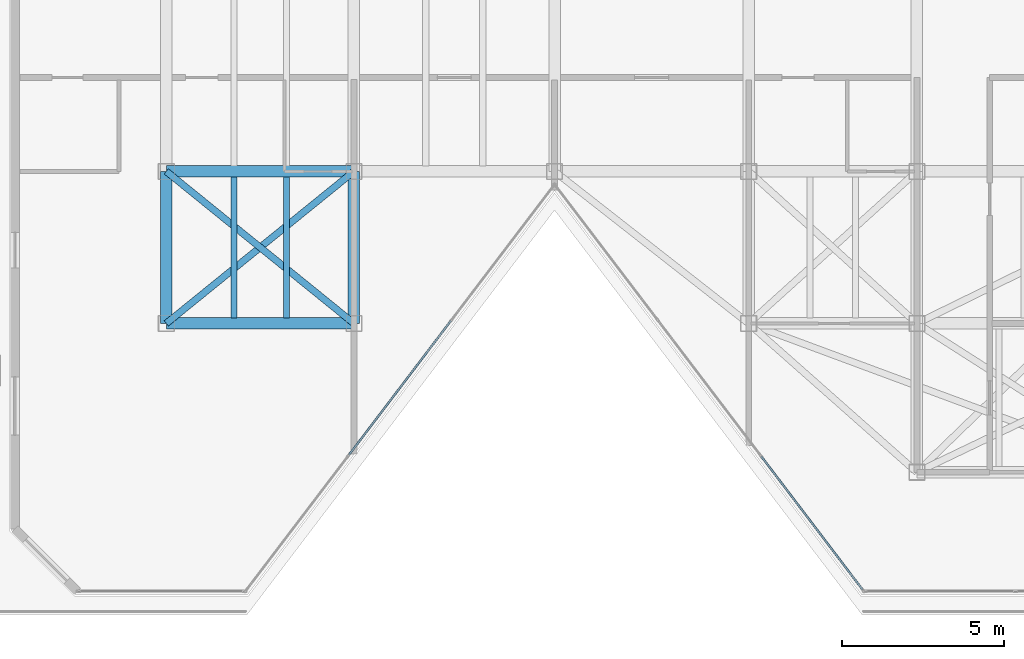
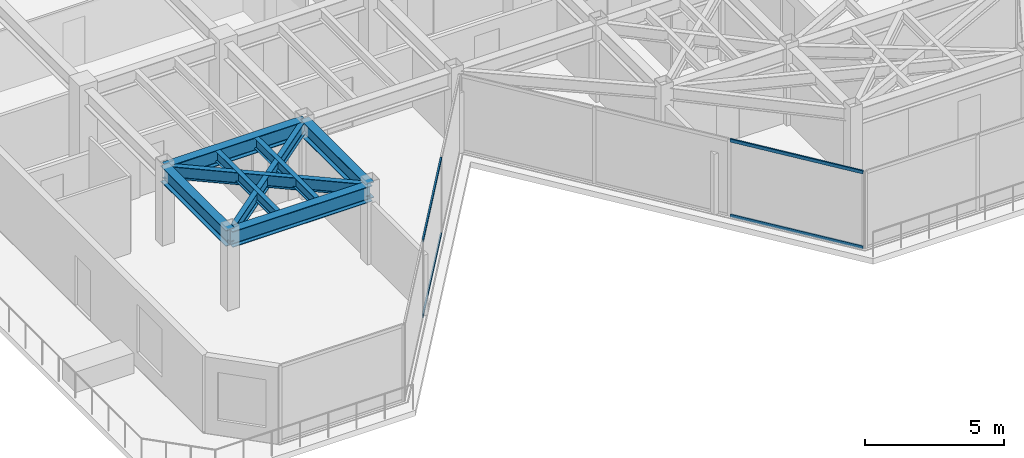
# One storey, part 3 of 17: 8 beams, 4 members, 2 elements without a shape of their own.
"""IFC4 building model written with IfcOpenShell, lengths in metres."""

from ifc_helpers import new_model, si_unit, direction, frame, origin, origin_2d, place, context, subcontext, project, spatial, hollow_rectangle, i_section, extrude, material, layer, layer_set, material_profile, profile_set, type_object, element, aggregate, save


model = new_model("IFC4")

# Units and contexts
model_context = context("Model", 3, precision=1e-05, world=origin(), true_north=direction((0.0, 1.0)))
body_context = subcontext(model_context, "Body", "Model", "MODEL_VIEW")
ifc_project = project(units=[si_unit("LENGTHUNIT", "METRE"), si_unit("AREAUNIT", "SQUARE_METRE"), si_unit("VOLUMEUNIT", "CUBIC_METRE"), si_unit("PLANEANGLEUNIT", "RADIAN"), si_unit("MASSUNIT", "GRAM", prefix="KILO")], contexts=[model_context])

# Site, building, storey
site_placement = place(None, origin())
site = spatial("IfcSite", under=ifc_project, at=site_placement, CompositionType="ELEMENT")
building_placement = place(site_placement, origin())
building = spatial("IfcBuilding", under=site, at=building_placement, Name="Kravanh Interchange Tower", CompositionType="ELEMENT")
storey_placement = place(building_placement, frame((0.0, 0.0, 263.39990234375)))
storey = spatial("IfcBuildingStorey", under=building, at=storey_placement, Name="L64", CompositionType="ELEMENT", Elevation=263.39990234375)

# Curtain wall, members
ifc_material_1 = material(Name="Anodised Bronze Aluminium", Category="aluminium")
ifc_layer = layer(ifc_material_1, 0.179931640625)
ifc_layer_set = layer_set([ifc_layer], Name="Unitised Curtain Wall System CW-HTL Luxury Hotel")
curtain_wall_type = type_object("IfcCurtainWallType", Name="Unitised Curtain Wall System CW-HTL Luxury Hotel", PredefinedType="NOTDEFINED", material=ifc_layer_set)
curtain_wall_1_placement = place(storey_placement, origin())
curtain_wall_1 = element("IfcCurtainWall", 1, at=curtain_wall_1_placement, inside=storey, type_object=curtain_wall_type, Name="L64 Unitised Curtain Wall CW-L64-04", PredefinedType="NOTDEFINED")
ifc_material_2 = material(Name="Anodised Bronze Aluminium", Category="aluminium")
ifc_material_profile_1 = material_profile(ifc_material_2, hollow_rectangle(XDim=0.06005859375, YDim=0.139892578125, WallThickness=0.00390625, at=origin_2d()), Name="ALU60X140X4")
ifc_profile_set_1 = profile_set([ifc_material_profile_1], Name="Anodised Bronze Aluminium")
member_type = type_object("IfcMemberType", Name="Curtain Wall Transom ALU60X140X4 Bronze", PredefinedType="USERDEFINED", material=ifc_profile_set_1)
member_1_placement = place(storey_placement, frame((54.3232421875, 18.56787109375, 0.030029296875), z_axis=(-0.605089246946, 0.796157649734, 0.0), x_axis=(-0.796157649734, -0.605089246946, 0.0)))
member_1 = element("IfcMember", 2, at=member_1_placement, type_object=member_type, Name="CW-HTL transom 1.1", ObjectType="TRANSOM", PredefinedType="USERDEFINED", context=body_context, shape_type="SweptSolid", body=[
    extrude(hollow_rectangle(XDim=0.06005859375, YDim=0.139892578125, WallThickness=0.00390625, at=origin_2d()), origin(), (0.0, 0.0, 1.0), 5.17626953125),
])
member_2_placement = place(storey_placement, frame((54.3232421875, 18.56787109375, 3.330078125), z_axis=(-0.605089246946, 0.796157649734, 0.0), x_axis=(-0.796157649734, -0.605089246946, 0.0)))
member_2 = element("IfcMember", 3, at=member_2_placement, type_object=member_type, Name="CW-HTL transom 1.2", ObjectType="TRANSOM", PredefinedType="USERDEFINED", context=body_context, shape_type="SweptSolid", body=[
    extrude(hollow_rectangle(XDim=0.06005859375, YDim=0.139892578125, WallThickness=0.00390625, at=origin_2d()), origin(), (0.0, 0.0, 1.0), 5.17626953125),
])
aggregate(curtain_wall_1, [member_1, member_2])

curtain_wall_2_placement = place(storey_placement, origin())
curtain_wall_2 = element("IfcCurtainWall", 4, at=curtain_wall_2_placement, inside=storey, type_object=curtain_wall_type, Name="L64 Unitised Curtain Wall CW-L64-05", PredefinedType="NOTDEFINED")
member_3_placement = place(storey_placement, frame((41.595458984375, 26.881591796875, 0.030029296875), z_axis=(-0.605104668693, -0.796145928788, 0.0), x_axis=(0.796145928788, -0.605104668693, 0.0)))
member_3 = element("IfcMember", 5, at=member_3_placement, type_object=member_type, Name="CW-HTL transom 2.1", ObjectType="TRANSOM", PredefinedType="USERDEFINED", context=body_context, shape_type="SweptSolid", body=[
    extrude(hollow_rectangle(XDim=0.06005859375, YDim=0.139892578125, WallThickness=0.00390625, at=origin_2d()), origin(), (0.0, 0.0, 1.0), 5.206298828125),
])
member_4_placement = place(storey_placement, frame((41.595458984375, 26.881591796875, 3.330078125), z_axis=(-0.605104668693, -0.796145928788, 0.0), x_axis=(0.796145928788, -0.605104668693, 0.0)))
member_4 = element("IfcMember", 6, at=member_4_placement, type_object=member_type, Name="CW-HTL transom 2.2", ObjectType="TRANSOM", PredefinedType="USERDEFINED", context=body_context, shape_type="SweptSolid", body=[
    extrude(hollow_rectangle(XDim=0.06005859375, YDim=0.139892578125, WallThickness=0.00390625, at=origin_2d()), origin(), (0.0, 0.0, 1.0), 5.206298828125),
])
aggregate(curtain_wall_2, [member_3, member_4])

# Beams
ifc_material_3 = material(Name="Structural Steel S355", Category="steel")
ifc_material_profile_2 = material_profile(ifc_material_3, i_section(OverallWidth=0.35498046875, OverallDepth=0.696044921875, WebThickness=0.015380859375, FlangeThickness=0.02490234375, FilletRadius=0.02392578125, at=origin_2d()), Name="W27X146")
ifc_profile_set_2 = profile_set([ifc_material_profile_2], Name="Structural Steel S355")
beam_type_1 = type_object("IfcBeamType", Name="Floor Beam W27X146 Structural Steel S355", PredefinedType="BEAM", material=ifc_profile_set_2)
beam_1_placement = place(storey_placement, frame((38.60009765625, 31.5, 3.01220703125), z_axis=(0.0, -1.0, 0.0), x_axis=(1.0, 0.0, 0.0)))
element("IfcBeam", 7, at=beam_1_placement, inside=storey, type_object=beam_type_1, Name="L64 Primary Floor Girder 17", PredefinedType="BEAM", context=body_context, shape_type="SweptSolid", body=[
    extrude(i_section(OverallWidth=0.35498046875, OverallDepth=0.696044921875, WebThickness=0.015380859375, FlangeThickness=0.02490234375, FilletRadius=0.02392578125, at=origin_2d()), origin(), (0.0, 0.0, 1.0), 4.699951171875),
])
beam_2_placement = place(storey_placement, frame((38.60009765625, 31.5, 3.01220703125), z_axis=(-1.0, 0.0, 0.0), x_axis=(0.0, -1.0, 0.0)))
element("IfcBeam", 8, at=beam_2_placement, inside=storey, type_object=beam_type_1, Name="L64 Primary Floor Girder 18", PredefinedType="BEAM", context=body_context, shape_type="SweptSolid", body=[
    extrude(i_section(OverallWidth=0.35498046875, OverallDepth=0.696044921875, WebThickness=0.015380859375, FlangeThickness=0.02490234375, FilletRadius=0.02392578125, at=origin_2d()), origin(), (0.0, 0.0, 1.0), 5.800048828125),
])
beam_3_placement = place(storey_placement, frame((32.800048828125, 31.5, 3.01220703125), z_axis=(0.0, -1.0, 0.0), x_axis=(1.0, 0.0, 0.0)))
element("IfcBeam", 9, at=beam_3_placement, inside=storey, type_object=beam_type_1, Name="L64 Primary Floor Girder 21", PredefinedType="BEAM", context=body_context, shape_type="SweptSolid", body=[
    extrude(i_section(OverallWidth=0.35498046875, OverallDepth=0.696044921875, WebThickness=0.015380859375, FlangeThickness=0.02490234375, FilletRadius=0.02392578125, at=origin_2d()), origin(), (0.0, 0.0, 1.0), 4.699951171875),
])
beam_4_placement = place(storey_placement, frame((38.60009765625, 26.800048828125, 3.01220703125), z_axis=(-1.0, 0.0, 0.0), x_axis=(0.0, -1.0, 0.0)))
element("IfcBeam", 10, at=beam_4_placement, inside=storey, type_object=beam_type_1, Name="L64 Primary Floor Girder 24", PredefinedType="BEAM", context=body_context, shape_type="SweptSolid", body=[
    extrude(i_section(OverallWidth=0.35498046875, OverallDepth=0.696044921875, WebThickness=0.015380859375, FlangeThickness=0.02490234375, FilletRadius=0.02392578125, at=origin_2d()), origin(), (0.0, 0.0, 1.0), 5.800048828125),
])
ifc_material_4 = material(Name="Structural Steel S355", Category="steel")
ifc_material_profile_3 = material_profile(ifc_material_4, i_section(OverallWidth=0.18994140625, OverallDepth=0.45703125, WebThickness=0.009033203125, FlangeThickness=0.014404296875, FilletRadius=0.01806640625, at=origin_2d()), Name="W18X50")
ifc_profile_set_3 = profile_set([ifc_material_profile_3], Name="Structural Steel S355")
beam_type_2 = type_object("IfcBeamType", Name="Floor Joist W18X50 Structural Steel S355", PredefinedType="JOIST", material=ifc_profile_set_3)
for number, where, z_axis, x_axis, name in (
    (11, (34.889892578125, 26.972412109375, 3.131591796875), (0.0, 1.0, 0.0), (-1.0, 0.0, 0.0), "L64 Secondary Floor Joist 3"),
    (12, (36.510009765625, 26.972412109375, 3.131591796875), (0.0, 1.0, 0.0), (-1.0, 0.0, 0.0), "L64 Secondary Floor Joist 4"),
):
    element("IfcBeam", number, at=place(storey_placement, frame(where, z_axis=z_axis, x_axis=x_axis)), inside=storey, type_object=beam_type_2, Name=name, PredefinedType="JOIST", context=body_context, shape_type="SweptSolid", body=[
        extrude(i_section(OverallWidth=0.18994140625, OverallDepth=0.45703125, WebThickness=0.009033203125, FlangeThickness=0.014404296875, FilletRadius=0.01806640625, at=origin_2d()), origin(), (0.0, 0.0, 1.0), 4.35498046875),
    ])
ifc_material_5 = material(Name="Structural Steel S355", Category="steel")
ifc_material_profile_4 = material_profile(ifc_material_5, i_section(OverallWidth=0.2099609375, OverallDepth=0.537109375, WebThickness=0.010986328125, FlangeThickness=0.017333984375, FilletRadius=0.02001953125, at=origin_2d()), Name="W21X68")
ifc_profile_set_4 = profile_set([ifc_material_profile_4], Name="Structural Steel S355")
beam_type_3 = type_object("IfcBeamType", Name="Floor Spandrel W21X68 Structural Steel S355", PredefinedType="SPANDREL", material=ifc_profile_set_4)
for number, where, z_axis, x_axis, name in (
    (13, (38.60009765625, 31.5, 3.091552734375), (-0.776938619557, -0.629576350764, 0.0), (0.629576350764, -0.776938619557, 0.0), "L64 Perimeter Spandrel 20"),
    (14, (32.800048828125, 31.5, 3.091552734375), (0.776938619557, -0.629576350764, 0.0), (0.629576350764, 0.776938619557, 0.0), "L64 Perimeter Spandrel 23"),
):
    element("IfcBeam", number, at=place(storey_placement, frame(where, z_axis=z_axis, x_axis=x_axis)), inside=storey, type_object=beam_type_3, Name=name, PredefinedType="SPANDREL", context=body_context, shape_type="SweptSolid", body=[
        extrude(i_section(OverallWidth=0.2099609375, OverallDepth=0.537109375, WebThickness=0.010986328125, FlangeThickness=0.017333984375, FilletRadius=0.02001953125, at=origin_2d()), origin(), (0.0, 0.0, 1.0), 7.46533203125),
    ])

save(model, "model.ifc")
